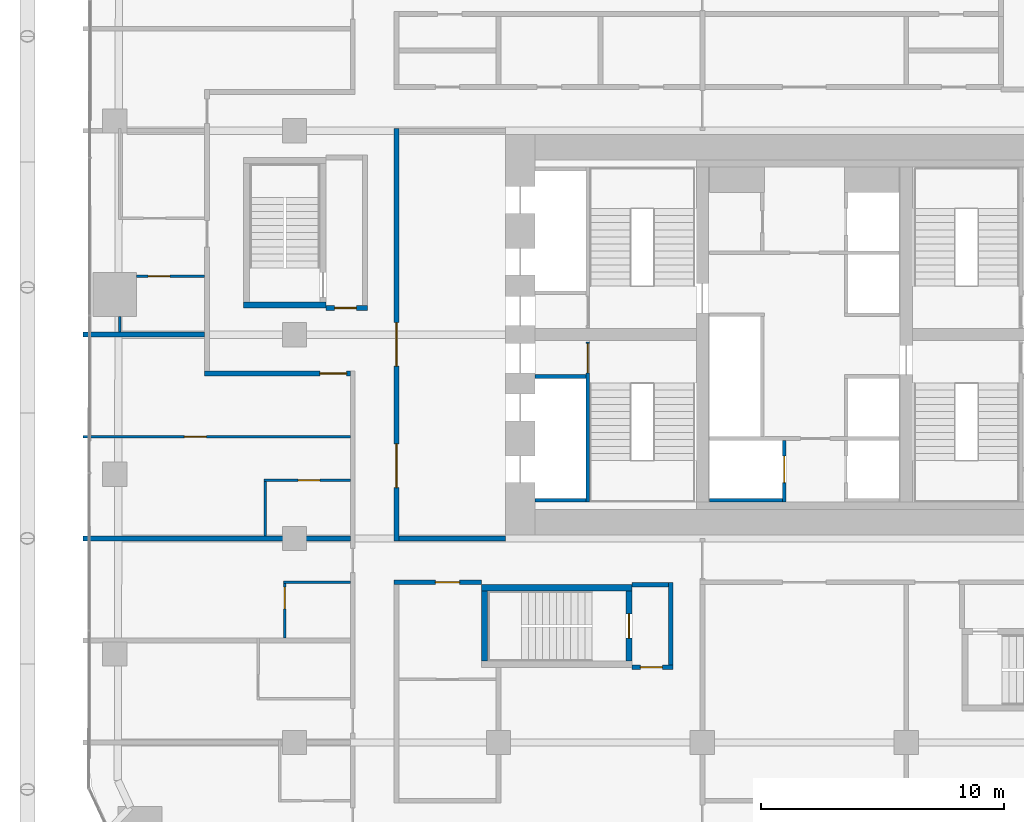
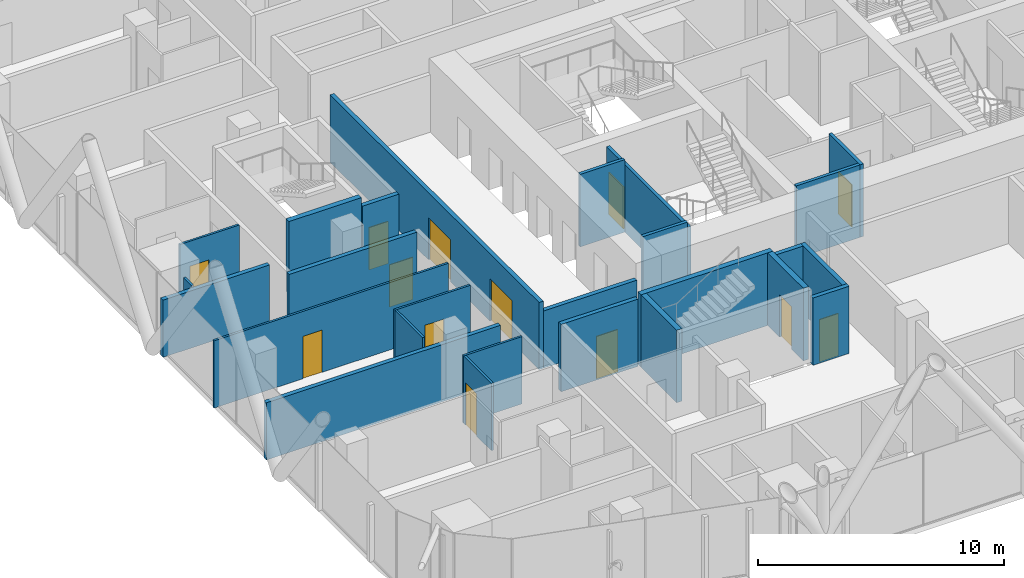
# One storey, part 25 of 34: 26 walls, 13 doors, 13 openings.
"""IFC4 building model written with IfcOpenShell, lengths in metres."""

from ifc_helpers import new_model, si_unit, direction, frame, frame_2d, origin, place, context, subcontext, project, spatial, rectangle, extrude, material, layer, layer_set, type_object, element, fill, save


model = new_model("IFC4")

# Units and contexts
model_context = context("Model", 3, precision=1e-05, world=origin(), true_north=direction((0.0, 1.0)))
body_context = subcontext(model_context, "Body", "Model", "MODEL_VIEW")
ifc_project = project(units=[si_unit("LENGTHUNIT", "METRE"), si_unit("AREAUNIT", "SQUARE_METRE"), si_unit("VOLUMEUNIT", "CUBIC_METRE"), si_unit("PLANEANGLEUNIT", "RADIAN"), si_unit("MASSUNIT", "GRAM", prefix="KILO")], contexts=[model_context])

# Site, building, storey
site_placement = place(None, origin())
site = spatial("IfcSite", under=ifc_project, at=site_placement, CompositionType="ELEMENT")
building_placement = place(site_placement, origin())
building = spatial("IfcBuilding", under=site, at=building_placement, Name="Marenta Gate Hotel Tower", CompositionType="ELEMENT")
storey_placement = place(building_placement, frame((0.0, 0.0, 76.10009765625)))
storey = spatial("IfcBuildingStorey", under=building, at=storey_placement, Name="L17", CompositionType="ELEMENT", Elevation=76.10009765625)

# Wall, openings, doors
ifc_material_1 = material(Name="Concrete blockwork", Category="masonry")
ifc_layer_1 = layer(ifc_material_1, 0.199951171875)
ifc_layer_set_1 = layer_set([ifc_layer_1], Name="Concrete blockwork")
wall_type_1 = type_object("IfcWallType", Name="Core boundary wall 200 REI 180", PredefinedType="PARTITIONING", material=ifc_layer_set_1)
wall_1_placement = place(storey_placement, frame((-16.800048828125, -0.10009765625, 0.0), z_axis=(0.0, 0.0, 1.0), x_axis=(0.0, 1.0, 0.0)))
wall_1 = element("IfcWall", 1, at=wall_1_placement, inside=storey, type_object=wall_type_1, Name="L17-CP-BW-W", PredefinedType="PARTITIONING", context=body_context, shape_type="SweptSolid", body=[
    extrude(rectangle(XDim=17.0, YDim=0.199951171875, at=frame_2d((8.5, 0.0))), origin(), (0.0, 0.0, 1.0), 3.33984375),
])
opening_1_placement = place(wall_1_placement, frame((2.199951171875, 0.0, 0.0)))
opening_1 = element("IfcOpeningElement", 2, at=opening_1_placement, cuts=wall_1, Name="Opening ED-Wa-B", PredefinedType="OPENING", context=body_context, shape_type="SweptSolid", body=[
    extrude(rectangle(XDim=1.800048828125, YDim=2.10009765625, at=frame_2d((0.89990234375, 1.050048828125))), frame((0.0, 0.10009765625, 0.0), z_axis=(0.0, -1.0, 0.0), x_axis=(1.0, 0.0, 0.0)), (0.0, 0.0, 1.0), 0.199951171875),
])
opening_2_placement = place(wall_1_placement, frame((7.199951171875, 0.0, 0.0)))
opening_2 = element("IfcOpeningElement", 3, at=opening_2_placement, cuts=wall_1, Name="Opening ED-Wb-B", PredefinedType="OPENING", context=body_context, shape_type="SweptSolid", body=[
    extrude(rectangle(XDim=1.800048828125, YDim=2.10009765625, at=frame_2d((0.89990234375, 1.050048828125))), frame((0.0, 0.10009765625, 0.0), z_axis=(0.0, -1.0, 0.0), x_axis=(1.0, 0.0, 0.0)), (0.0, 0.0, 1.0), 0.199951171875),
])
ifc_material_2 = material(Name="Steel", Category="steel")
door_type_1 = type_object("IfcDoorType", Name="Core lobby entrance door 1800x2100 EI 60", OperationType="DOUBLE_DOOR_SINGLE_SWING", PredefinedType="DOOR", material=ifc_material_2)
door_1_placement = place(opening_1_placement, origin())
door_1 = element("IfcDoor", 4, at=door_1_placement, inside=storey, type_object=door_type_1, Name="ED-Wa-B", OperationType="DOUBLE_DOOR_SINGLE_SWING", OverallHeight=2.10009765625, OverallWidth=1.800048828125, PredefinedType="DOOR", context=body_context, shape_type="SweptSolid", body=[
    extrude(rectangle(XDim=1.800048828125, YDim=2.10009765625, at=frame_2d((0.89990234375, 1.050048828125))), frame((0.0, 0.02490234375, 0.0), z_axis=(0.0, -1.0, 0.0), x_axis=(1.0, 0.0, 0.0)), (0.0, 0.0, 1.0), 0.050048828125),
])
fill(opening_1, door_1)
door_2_placement = place(opening_2_placement, origin())
door_2 = element("IfcDoor", 5, at=door_2_placement, inside=storey, type_object=door_type_1, Name="ED-Wb-B", OperationType="DOUBLE_DOOR_SINGLE_SWING", OverallHeight=2.10009765625, OverallWidth=1.800048828125, PredefinedType="DOOR", context=body_context, shape_type="SweptSolid", body=[
    extrude(rectangle(XDim=1.800048828125, YDim=2.10009765625, at=frame_2d((0.89990234375, 1.050048828125))), frame((0.0, 0.02490234375, 0.0), z_axis=(0.0, -1.0, 0.0), x_axis=(1.0, 0.0, 0.0)), (0.0, 0.0, 1.0), 0.050048828125),
])
fill(opening_2, door_2)

# Walls
wall_2_placement = place(storey_placement, frame((-16.699951171875, 0.0, 0.0), z_axis=(0.0, 0.0, 1.0), x_axis=(1.0, 0.0, 0.0)))
element("IfcWall", 6, at=wall_2_placement, inside=storey, type_object=wall_type_1, Name="L17-CP-EW-WS", PredefinedType="PARTITIONING", context=body_context, shape_type="SweptSolid", body=[
    extrude(rectangle(XDim=4.39990234375, YDim=0.199951171875, at=frame_2d((2.199951171875, 0.0))), origin(), (0.0, 0.0, 1.0), 2.83984375),
])
ifc_material_3 = material(Name="Concrete C40", Category="concrete")
ifc_layer_2 = layer(ifc_material_3, 0.14990234375)
ifc_layer_set_2 = layer_set([ifc_layer_2], Name="Concrete C40")
wall_type_2 = type_object("IfcWallType", Name="Core shaft wall 150 REI 180", PredefinedType="SHEAR", material=ifc_layer_set_2)
for number, where, z_axis, x_axis, name in (
    (7, (-11.10009765625, 6.675048828125, 0.0), (0.0, 0.0, 1.0), (1.0, 0.0, 0.0), "L17-SHF-SW-WS-2"),
    (8, (-11.10009765625, 1.574951171875, 0.0), (0.0, 0.0, 1.0), (1.0, 0.0, 0.0), "L17-SHF-SW-WS-5"),
):
    element("IfcWall", number, at=place(storey_placement, frame(where, z_axis=z_axis, x_axis=x_axis)), inside=storey, type_object=wall_type_2, Name=name, PredefinedType="SHEAR", context=body_context, shape_type="SweptSolid", body=[
        extrude(rectangle(XDim=2.10009765625, YDim=0.14990234375, at=frame_2d((1.050048828125, 0.0))), origin(), (0.0, 0.0, 1.0), 3.599853515625),
    ])

# Wall, opening, door
wall_3_placement = place(storey_placement, frame((-0.824951171875, 1.5, 0.0), z_axis=(0.0, 0.0, 1.0), x_axis=(0.0, 1.0, 0.0)))
wall_3 = element("IfcWall", 9, at=wall_3_placement, inside=storey, type_object=wall_type_2, Name="L17-SHF-CW-W-ff", PredefinedType="SHEAR", context=body_context, shape_type="SweptSolid", body=[
    extrude(rectangle(XDim=2.550048828125, YDim=0.14990234375, at=frame_2d((1.27490234375, 0.0))), origin(), (0.0, 0.0, 1.0), 3.599853515625),
])
opening_3_placement = place(wall_3_placement, frame((0.800048828125, 0.0, 0.0)))
opening_3 = element("IfcOpeningElement", 10, at=opening_3_placement, cuts=wall_3, Name="Opening LD-FF1", PredefinedType="OPENING", context=body_context, shape_type="SweptSolid", body=[
    extrude(rectangle(XDim=1.10009765625, YDim=2.10009765625, at=frame_2d((0.550048828125, 1.050048828125))), frame((0.0, 0.074951171875, 0.0), z_axis=(0.0, -1.0, 0.0), x_axis=(1.0, 0.0, 0.0)), (0.0, 0.0, 1.0), 0.14990234375),
])
ifc_material_4 = material(Name="Steel", Category="steel")
door_type_2 = type_object("IfcDoorType", Name="Core lift landing door 1100x2100 E 60", OperationType="SLIDING_TO_LEFT", PredefinedType="DOOR", material=ifc_material_4)
door_3_placement = place(opening_3_placement, origin())
door_3 = element("IfcDoor", 11, at=door_3_placement, inside=storey, type_object=door_type_2, Name="LD-FF1", OperationType="SLIDING_TO_LEFT", OverallHeight=2.10009765625, OverallWidth=1.10009765625, PredefinedType="DOOR", context=body_context, shape_type="SweptSolid", body=[
    extrude(rectangle(XDim=1.10009765625, YDim=2.10009765625, at=frame_2d((0.550048828125, 1.050048828125))), frame((0.0, 0.02490234375, 0.0), z_axis=(0.0, -1.0, 0.0), x_axis=(1.0, 0.0, 0.0)), (0.0, 0.0, 1.0), 0.050048828125),
])
fill(opening_3, door_3)

# Wall
wall_4_placement = place(storey_placement, frame((-3.89990234375, 1.574951171875, 0.0), z_axis=(0.0, 0.0, 1.0), x_axis=(1.0, 0.0, 0.0)))
element("IfcWall", 12, at=wall_4_placement, inside=storey, type_object=wall_type_2, Name="L17-SHF-CW-W-ffs", PredefinedType="SHEAR", context=body_context, shape_type="SweptSolid", body=[
    extrude(rectangle(XDim=3.0, YDim=0.14990234375, at=frame_2d((1.5, 0.0))), origin(), (0.0, 0.0, 1.0), 3.599853515625),
])

# Wall, opening, door
ifc_material_5 = material(Name="Concrete C40", Category="concrete")
ifc_layer_3 = layer(ifc_material_5, 0.14990234375)
ifc_layer_set_3 = layer_set([ifc_layer_3], Name="Concrete C40")
wall_type_3 = type_object("IfcWallType", Name="Core stair enclosure wall 150 REI 180", PredefinedType="SHEAR", material=ifc_layer_set_3)
wall_5_placement = place(storey_placement, frame((-8.925048828125, 1.5, 0.0), z_axis=(0.0, 0.0, 1.0), x_axis=(0.0, 1.0, 0.0)))
wall_5 = element("IfcWall", 13, at=wall_5_placement, inside=storey, type_object=wall_type_3, Name="L17-SHF-SW-WS-3", PredefinedType="SHEAR", context=body_context, shape_type="SweptSolid", body=[
    extrude(rectangle(XDim=6.60009765625, YDim=0.14990234375, at=frame_2d((3.300048828125, 0.0))), origin(), (0.0, 0.0, 1.0), 3.33984375),
])
opening_4_placement = place(wall_5_placement, frame((5.324951171875, 0.0, 0.0)))
opening_4 = element("IfcOpeningElement", 14, at=opening_4_placement, cuts=wall_5, Name="Opening SD-WS", PredefinedType="OPENING", context=body_context, shape_type="SweptSolid", body=[
    extrude(rectangle(XDim=1.199951171875, YDim=2.10009765625, at=frame_2d((0.60009765625, 1.050048828125))), frame((0.0, 0.074951171875, 0.0), z_axis=(0.0, -1.0, 0.0), x_axis=(1.0, 0.0, 0.0)), (0.0, 0.0, 1.0), 0.14990234375),
])
ifc_material_6 = material(Name="Steel", Category="steel")
door_type_3 = type_object("IfcDoorType", Name="Core stair door 1200x2100 FD60", OperationType="SINGLE_SWING_LEFT", PredefinedType="DOOR", material=ifc_material_6)
door_4_placement = place(opening_4_placement, origin())
door_4 = element("IfcDoor", 15, at=door_4_placement, inside=storey, type_object=door_type_3, Name="SD-WS", OperationType="SINGLE_SWING_LEFT", OverallHeight=2.10009765625, OverallWidth=1.199951171875, PredefinedType="DOOR", context=body_context, shape_type="SweptSolid", body=[
    extrude(rectangle(XDim=1.199951171875, YDim=2.10009765625, at=frame_2d((0.60009765625, 1.050048828125))), frame((0.0, 0.02490234375, 0.0), z_axis=(0.0, -1.0, 0.0), x_axis=(1.0, 0.0, 0.0)), (0.0, 0.0, 1.0), 0.050048828125),
])
fill(opening_4, door_4)

# Walls
ifc_material_7 = material(Name="Concrete C40", Category="concrete")
ifc_layer_4 = layer(ifc_material_7, 0.25)
ifc_layer_set_4 = layer_set([ifc_layer_4], Name="Concrete C40")
wall_type_4 = type_object("IfcWallType", Name="Remote stair enclosure wall 250 REI 180", PredefinedType="SHEAR", material=ifc_layer_set_4)
wall_6_placement = place(storey_placement, frame((-13.300048828125, -2.02490234375, 0.099853515625), z_axis=(0.0, 0.0, 1.0), x_axis=(1.0, 0.0, 0.0)))
element("IfcWall", 16, at=wall_6_placement, inside=storey, type_object=wall_type_4, Name="L17-RS-Z1-2-W2", PredefinedType="SHEAR", context=body_context, shape_type="SweptSolid", body=[
    extrude(rectangle(XDim=6.199951171875, YDim=0.25, at=frame_2d((3.10009765625, 0.0))), origin(), (0.0, 0.0, 1.0), 3.60009765625),
])
wall_7_placement = place(storey_placement, frame((-13.175048828125, -5.050048828125, 0.099853515625), z_axis=(0.0, 0.0, 1.0), x_axis=(0.0, 1.0, 0.0)))
element("IfcWall", 17, at=wall_7_placement, inside=storey, type_object=wall_type_4, Name="L17-RS-Z1-2-W3", PredefinedType="SHEAR", context=body_context, shape_type="SweptSolid", body=[
    extrude(rectangle(XDim=2.900146484375, YDim=0.25, at=frame_2d((1.4501953125, 0.0))), origin(), (0.0, 0.0, 1.0), 3.60009765625),
])

# Wall, opening, door
wall_8_placement = place(storey_placement, frame((-7.22509765625, -5.050048828125, 0.099853515625), z_axis=(0.0, 0.0, 1.0), x_axis=(0.0, 1.0, 0.0)))
wall_8 = element("IfcWall", 18, at=wall_8_placement, inside=storey, type_object=wall_type_4, Name="L17-RS-Z1-2-W4", PredefinedType="SHEAR", context=body_context, shape_type="SweptSolid", body=[
    extrude(rectangle(XDim=2.900146484375, YDim=0.25, at=frame_2d((1.4501953125, 0.0))), origin(), (0.0, 0.0, 1.0), 3.60009765625),
])
opening_5_placement = place(wall_8_placement, frame((0.949951171875, 0.0, 0.0)))
opening_5 = element("IfcOpeningElement", 19, at=opening_5_placement, cuts=wall_8, Name="Opening VD", PredefinedType="OPENING", context=body_context, shape_type="SweptSolid", body=[
    extrude(rectangle(XDim=1.0, YDim=2.10009765625, at=frame_2d((0.5, 1.050048828125))), frame((0.0, 0.125, 0.0), z_axis=(0.0, -1.0, 0.0), x_axis=(1.0, 0.0, 0.0)), (0.0, 0.0, 1.0), 0.25),
])
ifc_material_8 = material(Name="Steel", Category="steel")
door_type_4 = type_object("IfcDoorType", Name="Stair vestibule door 1000x2100 FD60", OperationType="SINGLE_SWING_LEFT", PredefinedType="DOOR", material=ifc_material_8)
door_5_placement = place(opening_5_placement, origin())
door_5 = element("IfcDoor", 20, at=door_5_placement, inside=storey, type_object=door_type_4, Name="VD", OperationType="SINGLE_SWING_LEFT", OverallHeight=2.10009765625, OverallWidth=1.0, PredefinedType="DOOR", context=body_context, shape_type="SweptSolid", body=[
    extrude(rectangle(XDim=1.0, YDim=2.10009765625, at=frame_2d((0.5, 1.050048828125))), frame((0.0, 0.02490234375, 0.0), z_axis=(0.0, -1.0, 0.0), x_axis=(1.0, 0.0, 0.0)), (0.0, 0.0, 1.0), 0.050048828125),
])
fill(opening_5, door_5)

# Wall
wall_9_placement = place(storey_placement, frame((-23.10009765625, 9.625, 0.099853515625), z_axis=(0.0, 0.0, 1.0), x_axis=(1.0, 0.0, 0.0)))
element("IfcWall", 21, at=wall_9_placement, inside=storey, type_object=wall_type_4, Name="L17-RS-Z1-3-W1", PredefinedType="SHEAR", context=body_context, shape_type="SweptSolid", body=[
    extrude(rectangle(XDim=3.400146484375, YDim=0.25, at=frame_2d((1.7001953125, 0.0))), origin(), (0.0, 0.0, 1.0), 3.60009765625),
])

# Wall, opening, door
ifc_material_9 = material(Name="Gypsum board on steel stud", Category="steel")
ifc_layer_5 = layer(ifc_material_9, 0.199951171875)
ifc_layer_set_5 = layer_set([ifc_layer_5], Name="Gypsum board on steel stud")
wall_type_5 = type_object("IfcWallType", Name="Room corridor wall 200 EI 60", PredefinedType="PARTITIONING", material=ifc_layer_set_5)
wall_10_placement = place(storey_placement, frame((-16.89990234375, -1.800048828125, 0.0), z_axis=(0.0, 0.0, 1.0), x_axis=(1.0, 0.0, 0.0)))
wall_10 = element("IfcWall", 22, at=wall_10_placement, inside=storey, type_object=wall_type_5, Name="L17-PTN-W065", PredefinedType="PARTITIONING", context=body_context, shape_type="SweptSolid", body=[
    extrude(rectangle(XDim=3.599853515625, YDim=0.199951171875, at=frame_2d((1.7998046875, 0.0))), origin(), (0.0, 0.0, 1.0), 3.33984375),
])
opening_6_placement = place(wall_10_placement, frame((1.699951171875, 0.0, 0.0)))
opening_6 = element("IfcOpeningElement", 23, at=opening_6_placement, cuts=wall_10, Name="Opening G06-02", PredefinedType="OPENING", context=body_context, shape_type="SweptSolid", body=[
    extrude(rectangle(XDim=1.0, YDim=2.10009765625, at=frame_2d((0.5, 1.050048828125))), frame((0.0, 0.10009765625, 0.0), z_axis=(0.0, -1.0, 0.0), x_axis=(1.0, 0.0, 0.0)), (0.0, 0.0, 1.0), 0.199951171875),
])
ifc_material_10 = material(Name="Hollow steel door set", Category="steel")
door_type_5 = type_object("IfcDoorType", Name="Room service door 1000x2100 EI 30", OperationType="NOTDEFINED", PredefinedType="DOOR", material=ifc_material_10)
door_6_placement = place(opening_6_placement, origin())
door_6 = element("IfcDoor", 24, at=door_6_placement, inside=storey, type_object=door_type_5, Name="L17-PD-D002", OperationType="SINGLE_SWING_RIGHT", OverallHeight=2.10009765625, OverallWidth=1.0, PredefinedType="DOOR", context=body_context, shape_type="SweptSolid", body=[
    extrude(rectangle(XDim=1.0, YDim=2.10009765625, at=frame_2d((0.5, 1.050048828125))), frame((0.0, 0.02490234375, 0.0), z_axis=(0.0, -1.0, 0.0), x_axis=(1.0, 0.0, 0.0)), (0.0, 0.0, 1.0), 0.050048828125),
])
fill(opening_6, door_6)

wall_11_placement = place(storey_placement, frame((-24.699951171875, 6.800048828125, 0.0), z_axis=(0.0, 0.0, 1.0), x_axis=(1.0, 0.0, 0.0)))
wall_11 = element("IfcWall", 25, at=wall_11_placement, inside=storey, type_object=wall_type_5, Name="L17-PTN-W083", PredefinedType="PARTITIONING", context=body_context, shape_type="SweptSolid", body=[
    extrude(rectangle(XDim=6.0, YDim=0.199951171875, at=frame_2d((3.0, 0.0))), origin(), (0.0, 0.0, 1.0), 3.33984375),
])
opening_7_placement = place(wall_11_placement, frame((4.75, 0.0, 0.0)))
opening_7 = element("IfcOpeningElement", 26, at=opening_7_placement, cuts=wall_11, Name="Opening G06-50", PredefinedType="OPENING", context=body_context, shape_type="SweptSolid", body=[
    extrude(rectangle(XDim=1.10009765625, YDim=2.10009765625, at=frame_2d((0.550048828125, 1.050048828125))), frame((0.0, 0.10009765625, 0.0), z_axis=(0.0, -1.0, 0.0), x_axis=(1.0, 0.0, 0.0)), (0.0, 0.0, 1.0), 0.199951171875),
])
ifc_material_11 = material(Name="Timber door leaf", Category="wood")
door_type_6 = type_object("IfcDoorType", Name="Guest room door 1100x2100 EI 30", OperationType="NOTDEFINED", PredefinedType="DOOR", material=ifc_material_11)
door_7_placement = place(opening_7_placement, origin())
door_7 = element("IfcDoor", 27, at=door_7_placement, inside=storey, type_object=door_type_6, Name="L17-PD-D050", OperationType="SINGLE_SWING_LEFT", OverallHeight=2.10009765625, OverallWidth=1.10009765625, PredefinedType="DOOR", context=body_context, shape_type="SweptSolid", body=[
    extrude(rectangle(XDim=1.10009765625, YDim=2.10009765625, at=frame_2d((0.550048828125, 1.050048828125))), frame((0.0, 0.02490234375, 0.0), z_axis=(0.0, -1.0, 0.0), x_axis=(1.0, 0.0, 0.0)), (0.0, 0.0, 1.0), 0.050048828125),
])
fill(opening_7, door_7)

ifc_material_12 = material(Name="Concrete blockwork", Category="masonry")
ifc_layer_6 = layer(ifc_material_12, 0.199951171875)
ifc_layer_set_6 = layer_set([ifc_layer_6], Name="Concrete blockwork")
wall_type_6 = type_object("IfcWallType", Name="Room corridor wall 200 REI 180", PredefinedType="PARTITIONING", material=ifc_layer_set_6)
wall_12_placement = place(storey_placement, frame((-7.10009765625, -5.300048828125, 0.0), z_axis=(0.0, 0.0, 1.0), x_axis=(1.0, 0.0, 0.0)))
wall_12 = element("IfcWall", 28, at=wall_12_placement, inside=storey, type_object=wall_type_6, Name="L17-PTN-W052", PredefinedType="PARTITIONING", context=body_context, shape_type="SweptSolid", body=[
    extrude(rectangle(XDim=1.7001953125, YDim=0.199951171875, at=frame_2d((0.85009765625, 0.0))), origin(), (0.0, 0.0, 1.0), 3.33984375),
])
opening_8_placement = place(wall_12_placement, frame((0.35009765625, 0.0, 0.0)))
opening_8 = element("IfcOpeningElement", 29, at=opening_8_placement, cuts=wall_12, Name="Opening G06-62", PredefinedType="OPENING", context=body_context, shape_type="SweptSolid", body=[
    extrude(rectangle(XDim=0.89990234375, YDim=2.10009765625, at=frame_2d((0.449951171875, 1.050048828125))), frame((0.0, 0.10009765625, 0.0), z_axis=(0.0, -1.0, 0.0), x_axis=(1.0, 0.0, 0.0)), (0.0, 0.0, 1.0), 0.199951171875),
])
ifc_material_13 = material(Name="Hollow steel door set", Category="steel")
door_type_7 = type_object("IfcDoorType", Name="Stair vestibule door 900x2100 EI 60", OperationType="NOTDEFINED", PredefinedType="DOOR", material=ifc_material_13)
door_8_placement = place(opening_8_placement, origin())
door_8 = element("IfcDoor", 30, at=door_8_placement, inside=storey, type_object=door_type_7, Name="L17-PD-D062", OperationType="SINGLE_SWING_RIGHT", OverallHeight=2.10009765625, OverallWidth=0.89990234375, PredefinedType="DOOR", context=body_context, shape_type="SweptSolid", body=[
    extrude(rectangle(XDim=0.89990234375, YDim=2.10009765625, at=frame_2d((0.449951171875, 1.050048828125))), frame((0.0, 0.02490234375, 0.0), z_axis=(0.0, -1.0, 0.0), x_axis=(1.0, 0.0, 0.0)), (0.0, 0.0, 1.0), 0.050048828125),
])
fill(opening_8, door_8)

# Walls
wall_13_placement = place(storey_placement, frame((-7.10009765625, -1.89990234375, 0.0), z_axis=(0.0, 0.0, 1.0), x_axis=(1.0, 0.0, 0.0)))
element("IfcWall", 31, at=wall_13_placement, inside=storey, type_object=wall_type_6, Name="L17-PTN-W061", PredefinedType="PARTITIONING", context=body_context, shape_type="SweptSolid", body=[
    extrude(rectangle(XDim=1.5, YDim=0.199951171875, at=frame_2d((0.75, 0.0))), origin(), (0.0, 0.0, 1.0), 3.33984375),
])
wall_14_placement = place(storey_placement, frame((-5.5, -5.199951171875, 0.0), z_axis=(0.0, 0.0, 1.0), x_axis=(0.0, 1.0, 0.0)))
element("IfcWall", 32, at=wall_14_placement, inside=storey, type_object=wall_type_6, Name="L17-PTN-W080", PredefinedType="PARTITIONING", context=body_context, shape_type="SweptSolid", body=[
    extrude(rectangle(XDim=3.39990234375, YDim=0.199951171875, at=frame_2d((1.699951171875, 0.0))), origin(), (0.0, 0.0, 1.0), 3.33984375),
])

# Wall, opening, door
wall_15_placement = place(storey_placement, frame((-19.699951171875, 9.5, 0.0), z_axis=(0.0, 0.0, 1.0), x_axis=(1.0, 0.0, 0.0)))
wall_15 = element("IfcWall", 33, at=wall_15_placement, inside=storey, type_object=wall_type_6, Name="L17-PTN-W089", PredefinedType="PARTITIONING", context=body_context, shape_type="SweptSolid", body=[
    extrude(rectangle(XDim=1.699951171875, YDim=0.199951171875, at=frame_2d((0.85009765625, 0.0))), origin(), (0.0, 0.0, 1.0), 3.33984375),
])
opening_9_placement = place(wall_15_placement, frame((0.35009765625, 0.0, 0.0)))
opening_9 = element("IfcOpeningElement", 34, at=opening_9_placement, cuts=wall_15, Name="Opening G06-63", PredefinedType="OPENING", context=body_context, shape_type="SweptSolid", body=[
    extrude(rectangle(XDim=0.89990234375, YDim=2.10009765625, at=frame_2d((0.449951171875, 1.050048828125))), frame((0.0, 0.10009765625, 0.0), z_axis=(0.0, -1.0, 0.0), x_axis=(1.0, 0.0, 0.0)), (0.0, 0.0, 1.0), 0.199951171875),
])
door_9_placement = place(opening_9_placement, origin())
door_9 = element("IfcDoor", 35, at=door_9_placement, inside=storey, type_object=door_type_7, Name="L17-PD-D063", OperationType="SINGLE_SWING_RIGHT", OverallHeight=2.10009765625, OverallWidth=0.89990234375, PredefinedType="DOOR", context=body_context, shape_type="SweptSolid", body=[
    extrude(rectangle(XDim=0.89990234375, YDim=2.10009765625, at=frame_2d((0.449951171875, 1.050048828125))), frame((0.0, 0.02490234375, 0.0), z_axis=(0.0, -1.0, 0.0), x_axis=(1.0, 0.0, 0.0)), (0.0, 0.0, 1.0), 0.050048828125),
])
fill(opening_9, door_9)

# Wall
ifc_material_14 = material(Name="Gypsum board on steel stud", Category="steel")
ifc_layer_7 = layer(ifc_material_14, 0.10009765625)
ifc_layer_set_7 = layer_set([ifc_layer_7], Name="Gypsum board on steel stud")
wall_type_7 = type_object("IfcWallType", Name="Room partition 100", PredefinedType="PARTITIONING", material=ifc_layer_set_7)
wall_16_placement = place(storey_placement, frame((-21.449951171875, -1.800048828125, 0.0), z_axis=(0.0, 0.0, 1.0), x_axis=(1.0, 0.0, 0.0)))
element("IfcWall", 36, at=wall_16_placement, inside=storey, type_object=wall_type_7, Name="L17-PTN-W063", PredefinedType="PARTITIONING", context=body_context, shape_type="SweptSolid", body=[
    extrude(rectangle(XDim=2.75, YDim=0.10009765625, at=frame_2d((1.375, 0.0))), origin(), (0.0, 0.0, 1.0), 3.33984375),
])

# Wall, opening, door
wall_17_placement = place(storey_placement, frame((-22.25, 2.39990234375, 0.0), z_axis=(0.0, 0.0, 1.0), x_axis=(1.0, 0.0, 0.0)))
wall_17 = element("IfcWall", 37, at=wall_17_placement, inside=storey, type_object=wall_type_7, Name="L17-PTN-W074", PredefinedType="PARTITIONING", context=body_context, shape_type="SweptSolid", body=[
    extrude(rectangle(XDim=3.550048828125, YDim=0.10009765625, at=frame_2d((1.77490234375, 0.0))), origin(), (0.0, 0.0, 1.0), 3.33984375),
])
opening_10_placement = place(wall_17_placement, frame((1.39990234375, 0.0, 0.0)))
opening_10 = element("IfcOpeningElement", 38, at=opening_10_placement, cuts=wall_17, Name="Opening G06-52", PredefinedType="OPENING", context=body_context, shape_type="SweptSolid", body=[
    extrude(rectangle(XDim=0.89990234375, YDim=2.10009765625, at=frame_2d((0.449951171875, 1.050048828125))), frame((0.0, 0.050048828125, 0.0), z_axis=(0.0, -1.0, 0.0), x_axis=(1.0, 0.0, 0.0)), (0.0, 0.0, 1.0), 0.10009765625),
])
ifc_material_15 = material(Name="Timber door leaf", Category="wood")
door_type_8 = type_object("IfcDoorType", Name="Guest bathroom door 900x2100", OperationType="NOTDEFINED", PredefinedType="DOOR", material=ifc_material_15)
door_10_placement = place(opening_10_placement, origin())
door_10 = element("IfcDoor", 39, at=door_10_placement, inside=storey, type_object=door_type_8, Name="L17-PD-D052", OperationType="SINGLE_SWING_LEFT", OverallHeight=2.10009765625, OverallWidth=0.89990234375, PredefinedType="DOOR", context=body_context, shape_type="SweptSolid", body=[
    extrude(rectangle(XDim=0.89990234375, YDim=2.10009765625, at=frame_2d((0.449951171875, 1.050048828125))), frame((0.0, 0.02490234375, 0.0), z_axis=(0.0, -1.0, 0.0), x_axis=(1.0, 0.0, 0.0)), (0.0, 0.0, 1.0), 0.050048828125),
])
fill(opening_10, door_10)

wall_18_placement = place(storey_placement, frame((-29.699951171875, 4.199951171875, 0.0), z_axis=(0.0, 0.0, 1.0), x_axis=(1.0, 0.0, 0.0)))
wall_18 = element("IfcWall", 40, at=wall_18_placement, inside=storey, type_object=wall_type_7, Name="L17-PTN-W079", PredefinedType="PARTITIONING", context=body_context, shape_type="SweptSolid", body=[
    extrude(rectangle(XDim=11.0, YDim=0.10009765625, at=frame_2d((5.5, 0.0))), origin(), (0.0, 0.0, 1.0), 3.33984375),
])
opening_11_placement = place(wall_18_placement, frame((4.169921875, 0.0, 0.0)))
opening_11 = element("IfcOpeningElement", 41, at=opening_11_placement, cuts=wall_18, Name="Opening G06-51", PredefinedType="OPENING", context=body_context, shape_type="SweptSolid", body=[
    extrude(rectangle(XDim=0.89990234375, YDim=2.10009765625, at=frame_2d((0.449951171875, 1.050048828125))), frame((0.0, 0.050048828125, 0.0), z_axis=(0.0, -1.0, 0.0), x_axis=(1.0, 0.0, 0.0)), (0.0, 0.0, 1.0), 0.10009765625),
])
ifc_material_16 = material(Name="Timber door leaf", Category="wood")
door_type_9 = type_object("IfcDoorType", Name="Room inner door 900x2100", OperationType="NOTDEFINED", PredefinedType="DOOR", material=ifc_material_16)
door_11_placement = place(opening_11_placement, origin())
door_11 = element("IfcDoor", 42, at=door_11_placement, inside=storey, type_object=door_type_9, Name="L17-PD-D051", OperationType="SINGLE_SWING_LEFT", OverallHeight=2.10009765625, OverallWidth=0.89990234375, PredefinedType="DOOR", context=body_context, shape_type="SweptSolid", body=[
    extrude(rectangle(XDim=0.89990234375, YDim=2.10009765625, at=frame_2d((0.449951171875, 1.050048828125))), frame((0.0, 0.02490234375, 0.0), z_axis=(0.0, -1.0, 0.0), x_axis=(1.0, 0.0, 0.0)), (0.0, 0.0, 1.0), 0.050048828125),
])
fill(opening_11, door_11)

wall_19_placement = place(storey_placement, frame((-27.5, 10.800048828125, 0.0), z_axis=(0.0, 0.0, 1.0), x_axis=(1.0, 0.0, 0.0)))
wall_19 = element("IfcWall", 43, at=wall_19_placement, inside=storey, type_object=wall_type_7, Name="L17-PTN-W090", PredefinedType="PARTITIONING", context=body_context, shape_type="SweptSolid", body=[
    extrude(rectangle(XDim=2.800048828125, YDim=0.10009765625, at=frame_2d((1.39990234375, 0.0))), origin(), (0.0, 0.0, 1.0), 3.33984375),
])
opening_12_placement = place(wall_19_placement, frame((0.469970703125, 0.0, 0.0)))
opening_12 = element("IfcOpeningElement", 44, at=opening_12_placement, cuts=wall_19, Name="Opening G06-55", PredefinedType="OPENING", context=body_context, shape_type="SweptSolid", body=[
    extrude(rectangle(XDim=0.89990234375, YDim=2.10009765625, at=frame_2d((0.449951171875, 1.050048828125))), frame((0.0, 0.050048828125, 0.0), z_axis=(0.0, -1.0, 0.0), x_axis=(1.0, 0.0, 0.0)), (0.0, 0.0, 1.0), 0.10009765625),
])
door_12_placement = place(opening_12_placement, origin())
door_12 = element("IfcDoor", 45, at=door_12_placement, inside=storey, type_object=door_type_9, Name="L17-PD-D055", OperationType="SINGLE_SWING_RIGHT", OverallHeight=2.10009765625, OverallWidth=0.89990234375, PredefinedType="DOOR", context=body_context, shape_type="SweptSolid", body=[
    extrude(rectangle(XDim=0.89990234375, YDim=2.10009765625, at=frame_2d((0.449951171875, 1.050048828125))), frame((0.0, 0.02490234375, 0.0), z_axis=(0.0, -1.0, 0.0), x_axis=(1.0, 0.0, 0.0)), (0.0, 0.0, 1.0), 0.050048828125),
])
fill(opening_12, door_12)

wall_20_placement = place(storey_placement, frame((-21.39990234375, -4.10009765625, 0.0), z_axis=(0.0, 0.0, 1.0), x_axis=(0.0, 1.0, 0.0)))
wall_20 = element("IfcWall", 46, at=wall_20_placement, inside=storey, type_object=wall_type_7, Name="L17-PTN-W122", PredefinedType="PARTITIONING", context=body_context, shape_type="SweptSolid", body=[
    extrude(rectangle(XDim=2.25, YDim=0.10009765625, at=frame_2d((1.125, 0.0))), origin(), (0.0, 0.0, 1.0), 3.33984375),
])
opening_13_placement = place(wall_20_placement, frame((1.199951171875, 0.0, 0.0)))
opening_13 = element("IfcOpeningElement", 47, at=opening_13_placement, cuts=wall_20, Name="Opening G06-49", PredefinedType="OPENING", context=body_context, shape_type="SweptSolid", body=[
    extrude(rectangle(XDim=0.89990234375, YDim=2.10009765625, at=frame_2d((0.449951171875, 1.050048828125))), frame((0.0, 0.050048828125, 0.0), z_axis=(0.0, -1.0, 0.0), x_axis=(1.0, 0.0, 0.0)), (0.0, 0.0, 1.0), 0.10009765625),
])
door_13_placement = place(opening_13_placement, origin())
door_13 = element("IfcDoor", 48, at=door_13_placement, inside=storey, type_object=door_type_8, Name="L17-PD-D049", OperationType="SINGLE_SWING_LEFT", OverallHeight=2.10009765625, OverallWidth=0.89990234375, PredefinedType="DOOR", context=body_context, shape_type="SweptSolid", body=[
    extrude(rectangle(XDim=0.89990234375, YDim=2.10009765625, at=frame_2d((0.449951171875, 1.050048828125))), frame((0.0, 0.02490234375, 0.0), z_axis=(0.0, -1.0, 0.0), x_axis=(1.0, 0.0, 0.0)), (0.0, 0.0, 1.0), 0.050048828125),
])
fill(opening_13, door_13)

# Walls
wall_21_placement = place(storey_placement, frame((-22.199951171875, 0.10009765625, 0.0), z_axis=(0.0, 0.0, 1.0), x_axis=(0.0, 1.0, 0.0)))
element("IfcWall", 49, at=wall_21_placement, inside=storey, type_object=wall_type_7, Name="L17-PTN-W127", PredefinedType="PARTITIONING", context=body_context, shape_type="SweptSolid", body=[
    extrude(rectangle(XDim=2.25, YDim=0.10009765625, at=frame_2d((1.125, 0.0))), origin(), (0.0, 0.0, 1.0), 3.33984375),
])
wall_22_placement = place(storey_placement, frame((-28.199951171875, 8.5, 0.0), z_axis=(0.0, 0.0, 1.0), x_axis=(0.0, 1.0, 0.0)))
element("IfcWall", 50, at=wall_22_placement, inside=storey, type_object=wall_type_7, Name="L17-PTN-W144", PredefinedType="PARTITIONING", context=body_context, shape_type="SweptSolid", body=[
    extrude(rectangle(XDim=0.64990234375, YDim=0.10009765625, at=frame_2d((0.324951171875, 0.0))), origin(), (0.0, 0.0, 1.0), 2.93994140625),
])
ifc_material_17 = material(Name="Gypsum board on steel stud", Category="steel")
ifc_layer_8 = layer(ifc_material_17, 0.199951171875)
ifc_layer_set_8 = layer_set([ifc_layer_8], Name="Gypsum board on steel stud")
wall_type_8 = type_object("IfcWallType", Name="Room party wall 200 EI 60", PredefinedType="PARTITIONING", material=ifc_layer_set_8)
wall_23_placement = place(storey_placement, frame((-29.699951171875, 0.0, 0.0), z_axis=(0.0, 0.0, 1.0), x_axis=(1.0, 0.0, 0.0)))
element("IfcWall", 51, at=wall_23_placement, inside=storey, type_object=wall_type_8, Name="L17-PTN-W070", PredefinedType="PARTITIONING", context=body_context, shape_type="SweptSolid", body=[
    extrude(rectangle(XDim=11.0, YDim=0.199951171875, at=frame_2d((5.5, 0.0))), origin(), (0.0, 0.0, 1.0), 2.83984375),
])
wall_24_placement = place(storey_placement, frame((-29.699951171875, 8.39990234375, 0.0), z_axis=(0.0, 0.0, 1.0), x_axis=(1.0, 0.0, 0.0)))
element("IfcWall", 52, at=wall_24_placement, inside=storey, type_object=wall_type_8, Name="L17-PTN-W086", PredefinedType="PARTITIONING", context=body_context, shape_type="SweptSolid", body=[
    extrude(rectangle(XDim=5.0, YDim=0.199951171875, at=frame_2d((2.5, 0.0))), origin(), (0.0, 0.0, 1.0), 2.83984375),
])

save(model, "model.ifc")
